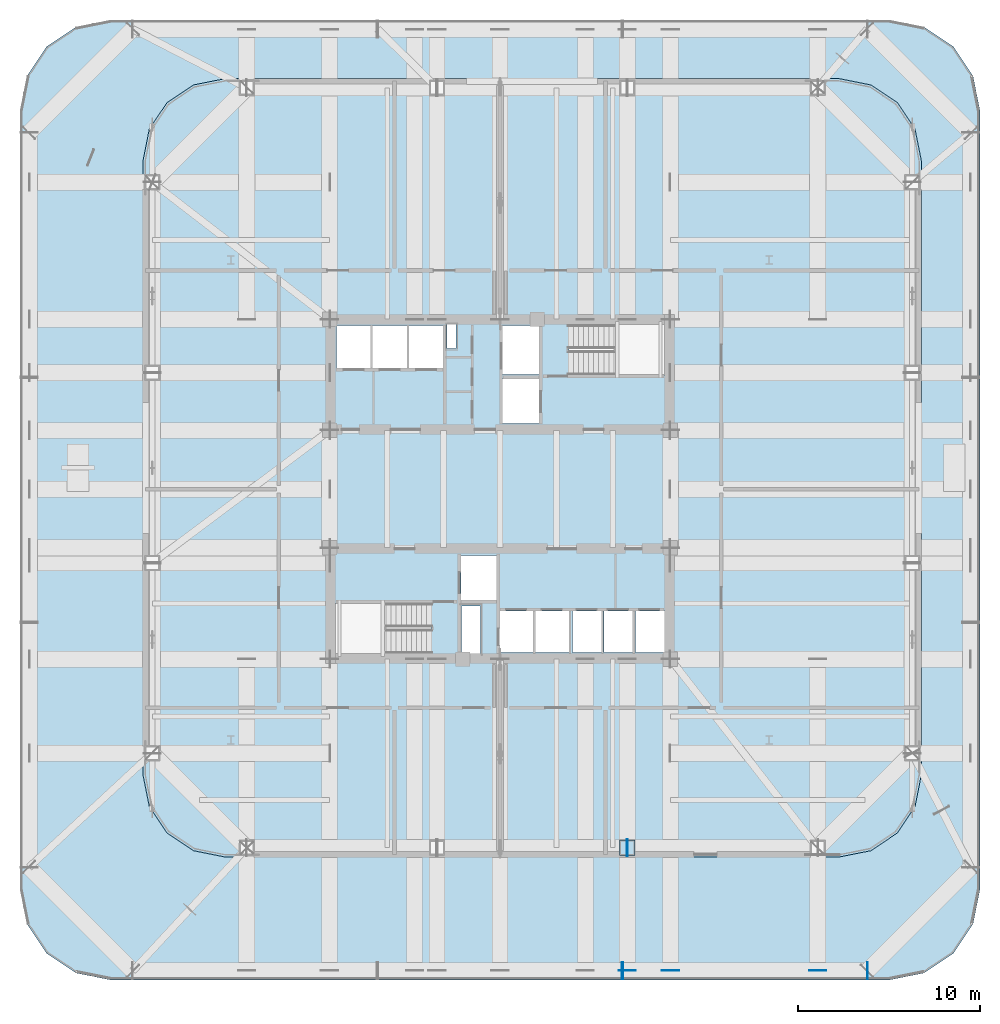
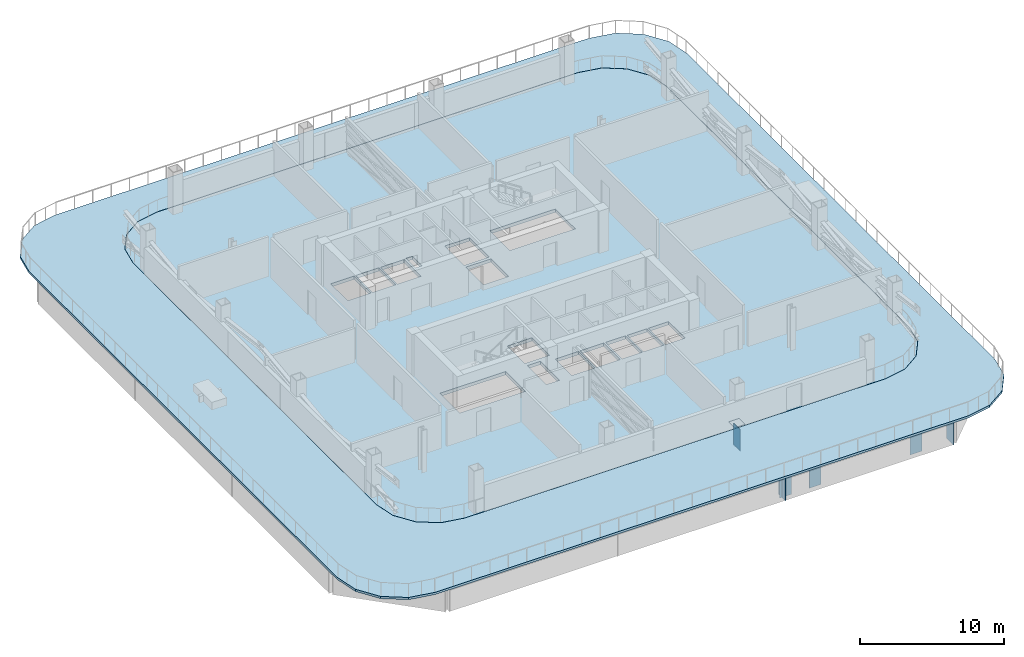
# One storey, part 5 of 16: 9 plates, 2 slabs.
"""IFC4 building model written with IfcOpenShell, lengths in metres."""

import ifcopenshell
import ifcopenshell.guid

model = None  # the IFC model being written
_history = None  # IfcOwnerHistory: only IFC2X3 demands one
_inside = {}  # id of a spatial element -> (the spatial element, [elements in it])
_under = {}  # id of a project, library or spatial element -> (it, [spatial elements below it])
_declared = {}  # id of a project -> (the project, [libraries it declares])
_typed = {}  # id of a type object -> (the type object, [elements of that type])
_made_of = {}  # id of a material, layer set ... -> (it, [elements and type objects made of it])


def new_model(schema):
    """Start an empty IFC model of exactly this schema.

    Asked for "IFC4X3", IfcOpenShell would pick the latest addendum, in which some entities
    have other attributes; the version numbers below select the first issue.
    IFC2X3 requires an IfcOwnerHistory on every rooted entity: one is made here for all.
    """
    global model, _history
    if schema == "IFC4X3":
        model = ifcopenshell.file(schema_version=(4, 3, 0, 0))
    else:
        model = ifcopenshell.file(schema=schema)
    _inside.clear()
    _under.clear()
    _declared.clear()
    _typed.clear()
    _made_of.clear()
    _history = None
    if model.schema == "IFC2X3":
        org = make("IfcOrganization", Name="unknown")
        user = make(
            "IfcPersonAndOrganization",
            ThePerson=make("IfcPerson", FamilyName="unknown"),
            TheOrganization=org,
        )
        app = make(
            "IfcApplication",
            ApplicationDeveloper=org,
            Version="unknown",
            ApplicationFullName="unknown",
            ApplicationIdentifier="unknown",
        )
        _history = make(
            "IfcOwnerHistory",
            OwningUser=user,
            OwningApplication=app,
            ChangeAction="ADDED",
            CreationDate=0,
        )
    return model


def make(cls, **values):
    """One entity of the class cls with the attributes given. An attribute that is None is left unset."""
    return model.create_entity(
        cls, **{name: value for name, value in values.items() if value is not None}
    )


def rooted(cls, **values):
    """An entity with a GlobalId (a new one), such as an element, a storey or a relation."""
    return make(cls, GlobalId=ifcopenshell.guid.new(), OwnerHistory=_history, **values)


def si_unit(unit_type, name, prefix=None):
    """IfcSIUnit, for example si_unit("LENGTHUNIT", "METRE", prefix="MILLI")."""
    return make("IfcSIUnit", UnitType=unit_type, Prefix=prefix, Name=name)


def assignment(units):
    """IfcUnitAssignment: the units of a project."""
    return None if units is None else make("IfcUnitAssignment", Units=units)


def point(xyz):
    """IfcCartesianPoint."""
    return None if xyz is None else make("IfcCartesianPoint", Coordinates=xyz)


def direction(xyz):
    """IfcDirection."""
    return None if xyz is None else make("IfcDirection", DirectionRatios=xyz)


def frame(location, z_axis=None, x_axis=None):
    """IfcAxis2Placement3D, a coordinate frame: its origin and axes. An axis left out is left unset."""
    return make(
        "IfcAxis2Placement3D",
        Location=point(location),
        Axis=direction(z_axis),
        RefDirection=direction(x_axis),
    )


def frame_2d(location, x_axis=None):
    """IfcAxis2Placement2D, a coordinate frame in the plane: its origin and x axis."""
    return make(
        "IfcAxis2Placement2D", Location=point(location), RefDirection=direction(x_axis)
    )


def origin():
    """The frame at (0, 0, 0) with its axes left unset."""
    return frame((0.0, 0.0, 0.0))


def origin_2d():
    """The frame at (0, 0) in the plane with its x axis left unset."""
    return frame_2d((0.0, 0.0))


def place(relative_to, where):
    """IfcLocalPlacement: puts the frame where relative to a parent placement (None: the world)."""
    return make(
        "IfcLocalPlacement", PlacementRelTo=relative_to, RelativePlacement=where
    )


def context(
    kind, dimensions, precision=None, world=None, true_north=None, identifier=None
):
    """IfcGeometricRepresentationContext, for example the 3D "Model" context."""
    return make(
        "IfcGeometricRepresentationContext",
        ContextIdentifier=identifier,
        ContextType=kind,
        CoordinateSpaceDimension=dimensions,
        Precision=precision,
        WorldCoordinateSystem=world,
        TrueNorth=true_north,
    )


def subcontext(parent, identifier, kind, view, scale=None):
    """IfcGeometricRepresentationSubContext, for example "Body" below "Model"."""
    return make(
        "IfcGeometricRepresentationSubContext",
        ContextIdentifier=identifier,
        ContextType=kind,
        ParentContext=parent,
        TargetScale=scale,
        TargetView=view,
    )


def project(units=None, contexts=None):
    """IfcProject with its units and contexts."""
    return rooted(
        "IfcProject",
        Name="project",
        RepresentationContexts=contexts,
        UnitsInContext=assignment(units),
    )


def spatial(cls, under=None, at=None, **own):
    """A site, building, storey or space (cls), placed at a placement, below another one or the project."""
    s = rooted(cls, ObjectPlacement=at, **own)
    if under is not None:
        _under.setdefault(under.id(), (under, []))[1].append(s)
    return s


def polyline(points):
    """IfcPolyline through the points."""
    return make("IfcPolyline", Points=[point(p) for p in points])


def profile(cls, at=None, kind="AREA", **sizes):
    """A parametric profile (cls). Its sizes go by their IFC names, for example OverallWidth=200.0."""
    return make(cls, ProfileType=kind, Position=at, **sizes)


def rectangle(**sizes):
    """IfcRectangleProfileDef."""
    return profile("IfcRectangleProfileDef", **sizes)


def outline(outer, holes=None, kind="AREA"):
    """IfcArbitraryClosedProfileDef: a profile drawn as a closed curve; with holes, ...WithVoids."""
    if holes is None:
        return make("IfcArbitraryClosedProfileDef", ProfileType=kind, OuterCurve=outer)
    return make(
        "IfcArbitraryProfileDefWithVoids",
        ProfileType=kind,
        OuterCurve=outer,
        InnerCurves=holes,
    )


def extrude(swept, where, along, depth):
    """IfcExtrudedAreaSolid: the profile swept, set in the frame where, extruded along a direction by depth."""
    return make(
        "IfcExtrudedAreaSolid",
        SweptArea=swept,
        Position=where,
        ExtrudedDirection=direction(along),
        Depth=depth,
    )


def shape(context_of_items, identifier, shape_type, items):
    """IfcShapeRepresentation: the items that make up one representation, for example the "Body"."""
    return make(
        "IfcShapeRepresentation",
        ContextOfItems=context_of_items,
        RepresentationIdentifier=identifier,
        RepresentationType=shape_type,
        Items=items,
    )


def material(Name=None, Category=None):
    """IfcMaterial."""
    return make("IfcMaterial", Name=Name, Category=Category)


def layer(
    of_material, thickness, ventilated=None, Name=None, Category=None, Priority=None
):
    """IfcMaterialLayer: one layer of a wall or slab, of a material (None: an air gap)."""
    return make(
        "IfcMaterialLayer",
        Material=of_material,
        LayerThickness=thickness,
        IsVentilated=ventilated,
        Name=Name,
        Category=Category,
        Priority=Priority,
    )


def layer_set(layers, Name=None):
    """IfcMaterialLayerSet."""
    return make("IfcMaterialLayerSet", MaterialLayers=layers, LayerSetName=Name)


def made_of(thing, what):
    """Note that an element or type object is made of a material, layer set ...; save() writes the relation."""
    if what is not None:
        _made_of.setdefault(what.id(), (what, []))[1].append(thing)
    return thing


def type_object(cls, material=None, **own):
    """A type object (cls), such as IfcWallType, which elements share."""
    return made_of(rooted(cls, **own), material)


def element(
    cls,
    number,
    at=None,
    inside=None,
    cuts=None,
    type_object=None,
    material=None,
    context=None,
    identifier="Body",
    shape_type=None,
    held_by="IfcProductDefinitionShape",
    body=None,
    shapes=None,
    **own,
):
    """One element of the class cls, such as IfcWall. Its Tag is "e" and its number.

    at: its placement. inside: the storey or other place that contains it. cuts: it is an
    opening in that element (IfcRelVoidsElement). A single representation is given by context,
    identifier, shape_type and body (its items); several are given by shapes. held_by: the class
    of the entity that holds the representations. save() writes the other relations.
    """
    e = rooted(cls, Tag="e%d" % number, ObjectPlacement=at, **own)
    if body is not None:
        shapes = [shape(context, identifier, shape_type, body)]
    if shapes is not None:
        e.Representation = make(held_by, Representations=shapes)
    if inside is not None:
        _inside.setdefault(inside.id(), (inside, []))[1].append(e)
    if cuts is not None:
        rooted(
            "IfcRelVoidsElement", RelatingBuildingElement=cuts, RelatedOpeningElement=e
        )
    if type_object is not None:
        _typed.setdefault(type_object.id(), (type_object, []))[1].append(e)
    return made_of(e, material)


def aggregate(whole, parts):
    """IfcRelAggregates: a whole, such as a stair, and the parts it consists of."""
    return rooted("IfcRelAggregates", RelatingObject=whole, RelatedObjects=parts)


def save(model, path):
    """Write the relations noted so far, then the file.

    IfcRelAggregates (storeys below a building ...), IfcRelContainedInSpatialStructure (elements
    in a storey), IfcRelDefinesByType, IfcRelAssociatesMaterial and IfcRelDeclares: one each for
    every whole, place, type object, material and project.
    """
    for whole, parts in _under.values():
        aggregate(whole, parts)
    for where, things in _inside.values():
        rooted(
            "IfcRelContainedInSpatialStructure",
            RelatedElements=things,
            RelatingStructure=where,
        )
    for kind, things in _typed.values():
        rooted("IfcRelDefinesByType", RelatedObjects=things, RelatingType=kind)
    for what, things in _made_of.values():
        rooted("IfcRelAssociatesMaterial", RelatedObjects=things, RelatingMaterial=what)
    for by, libraries in _declared.values():
        rooted("IfcRelDeclares", RelatingContext=by, RelatedDefinitions=libraries)
    model.write(path)


model = new_model("IFC4")

# Units and contexts
model_context = context("Model", 3, precision=1e-05, world=origin(), true_north=direction((0.0, 1.0)))
body_context = subcontext(model_context, "Body", "Model", "MODEL_VIEW")
ifc_project = project(units=[si_unit("LENGTHUNIT", "METRE"), si_unit("AREAUNIT", "SQUARE_METRE"), si_unit("VOLUMEUNIT", "CUBIC_METRE"), si_unit("PLANEANGLEUNIT", "RADIAN"), si_unit("MASSUNIT", "GRAM", prefix="KILO")], contexts=[model_context])

# Site, building, storey
site_placement = place(None, origin())
site = spatial("IfcSite", under=ifc_project, at=site_placement, CompositionType="ELEMENT")
building_placement = place(site_placement, origin())
building = spatial("IfcBuilding", under=site, at=building_placement, Name="Qhalaya Broadcast Tower", CompositionType="ELEMENT")
storey_placement = place(building_placement, frame((0.0, 0.0, 57.89990234375)))
storey = spatial("IfcBuildingStorey", under=building, at=storey_placement, Name="L16", CompositionType="ELEMENT", Elevation=57.89990234375)

# Plates
ifc_material_1 = material(Name="Structural Steel ASTM A572 Grade 50", Category="steel")
ifc_layer_1 = layer(ifc_material_1, 0.4599609375, Name="Structural Steel ASTM A572 Grade 50")
ifc_layer_set_1 = layer_set([ifc_layer_1], Name="Structural Steel ASTM A572 Grade 50")
plate_type = type_object("IfcPlateType", Name="Hollow Box Member End Cap Plate CP-01", PredefinedType="USERDEFINED", material=ifc_layer_set_1)
for number, where, z_axis, x_axis, name in (
    (1, (7.019287109375, -19.1298828125, -2.10009765625), (0.0, 0.0, 1.0), (0.0, 1.0, 0.0), "L16 Hollow Girder End Cap L16-SPR-02-B"),
    (2, (6.9873046875, -19.1298828125, -2.10009765625), (0.0, 0.0, 1.0), (0.0, 1.0, 0.0), "L16 Hollow Girder End Cap L16-SPR-03-A"),
    (3, (6.749267578125, -25.89990234375, -2.10009765625), (0.0, 0.0, 1.0), (0.0, 1.0, 0.0), "L16 Hollow Girder End Cap L16-TGL-02-B"),
    (4, (6.71728515625, -25.89990234375, -2.10009765625), (0.0, 0.0, 1.0), (0.0, 1.0, 0.0), "L16 Hollow Girder End Cap L16-TGL-03-A"),
    (5, (20.216064453125, -25.89990234375, -2.10009765625), (0.0, 0.0, 1.0), (0.0, 1.0, 0.0), "L16 Hollow Girder End Cap L16-TGL-03-B"),
    (6, (9.375, -25.8759765625, -2.10009765625), (0.0, 0.0, 1.0), (-1.0, 0.0, 0.0), "L16 Hollow Girder End Cap L16-TGISE-1-A"),
    (7, (7.00341796875, -25.8759765625, -2.10009765625), (0.0, 0.0, 1.0), (-1.0, 0.0, 0.0), "L16 Hollow Girder End Cap L16-TGC-03-A"),
    (8, (17.469970703125, -25.8759765625, -2.10009765625), (0.0, 0.0, 1.0), (-1.0, 0.0, 0.0), "L16 Hollow Girder End Cap L16-TGC-04-A"),
):
    element("IfcPlate", number, at=place(storey_placement, frame(where, z_axis=z_axis, x_axis=x_axis)), inside=storey, type_object=plate_type, Name=name, ObjectType="COVER_PLATE", PredefinedType="USERDEFINED", context=body_context, shape_type="SweptSolid", body=[
        extrude(rectangle(XDim=0.93994140625, YDim=0.031982421875, at=origin_2d()), origin(), (0.0, 0.0, 1.0), 1.840087890625),
    ])
plate_placement = place(storey_placement, frame((7.00341796875, -19.1298828125, -0.03173828125), z_axis=(0.0, 0.0, 1.0), x_axis=(1.0, 0.0, 0.0)))
element("IfcPlate", 9, at=plate_placement, inside=storey, type_object=plate_type, Name="L16 Hollow Box Column Base Cap Plate COL-NK03", ObjectType="COVER_PLATE", PredefinedType="USERDEFINED", context=body_context, shape_type="SweptSolid", body=[
    extrude(rectangle(XDim=0.840087890625, YDim=0.840087890625, at=origin_2d()), origin(), (0.0, 0.0, 1.0), 0.031982421875),
])

# Slabs
ifc_material_2 = material(Name="Concrete C40/50", Category="concrete")
ifc_layer_2 = layer(ifc_material_2, 0.280029296875, Name="Concrete C40/50")
ifc_layer_set_2 = layer_set([ifc_layer_2], Name="Concrete C40/50")
slab_type_1 = type_object("IfcSlabType", Name="Plant & Refuge Heavy Duty Floor Slab 280", PredefinedType="FLOOR", material=ifc_layer_set_2)
slab_1_placement = place(storey_placement, frame((0.0, 0.0, -0.27978515625)))
element("IfcSlab", 10, at=slab_1_placement, inside=storey, type_object=slab_type_1, Name="L16 Main Structural Floor Slab", PredefinedType="FLOOR", context=body_context, shape_type="SweptSolid", body=[
    extrude(outline(polyline([(18.669921875, -19.6298828125), (20.39208984375, -19.28759765625), (21.85205078125, -18.31201171875), (22.827392578125, -16.85205078125), (23.169921875, -15.1298828125), (23.169921875, 18.669921875), (22.827392578125, 20.39208984375), (21.85205078125, 21.85205078125), (20.39208984375, 22.827392578125), (18.669921875, 23.169921875), (-15.1298828125, 23.169921875), (-16.85205078125, 22.827392578125), (-18.31201171875, 21.85205078125), (-19.28759765625, 20.39208984375), (-19.6298828125, 18.669921875), (-19.6298828125, -15.1298828125), (-19.28759765625, -16.85205078125), (-18.31201171875, -18.31201171875), (-16.85205078125, -19.28759765625), (-15.1298828125, -19.6298828125), (18.669921875, -19.6298828125)]), holes=[polyline([(3.784912109375, 9.639892578125), (9.050048828125, 9.639892578125), (9.050048828125, 6.8798828125), (3.784912109375, 6.8798828125), (3.784912109375, 9.639892578125)]), polyline([(-3.784912109375, -8.43994140625), (-9.050048828125, -8.43994140625), (-9.050048828125, -5.679931640625), (-3.784912109375, -5.679931640625), (-3.784912109375, -8.43994140625)]), polyline([(0.14990234375, 6.64990234375), (2.14990234375, 6.64990234375), (2.14990234375, 4.199951171875), (0.14990234375, 4.199951171875), (0.14990234375, 6.64990234375)]), polyline([(0.14990234375, 9.60009765625), (2.14990234375, 9.60009765625), (2.14990234375, 6.89990234375), (0.14990234375, 6.89990234375), (0.14990234375, 9.60009765625)]), polyline([(-2.14990234375, -3.050048828125), (-0.14990234375, -3.050048828125), (-0.14990234375, -5.5), (-2.14990234375, -5.5), (-2.14990234375, -3.050048828125)]), polyline([(-9.0, 9.60009765625), (-7.1201171875, 9.60009765625), (-7.1201171875, 7.25), (-9.0, 7.25), (-9.0, 9.60009765625)]), polyline([(-7.0, 9.60009765625), (-5.1201171875, 9.60009765625), (-5.1201171875, 7.25), (-7.0, 7.25), (-7.0, 9.60009765625)]), polyline([(-5.0, 9.60009765625), (-3.1201171875, 9.60009765625), (-3.1201171875, 7.25), (-5.0, 7.25), (-5.0, 9.60009765625)]), polyline([(-0.050048828125, -6.10009765625), (1.830078125, -6.10009765625), (1.830078125, -8.39990234375), (-0.050048828125, -8.39990234375), (-0.050048828125, -6.10009765625)]), polyline([(1.949951171875, -6.10009765625), (3.830078125, -6.10009765625), (3.830078125, -8.39990234375), (1.949951171875, -8.39990234375), (1.949951171875, -6.10009765625)]), polyline([(4.0, -6.10009765625), (5.60009765625, -6.10009765625), (5.60009765625, -8.39990234375), (4.0, -8.39990234375), (4.0, -6.10009765625)]), polyline([(5.719970703125, -6.10009765625), (7.320068359375, -6.10009765625), (7.320068359375, -8.39990234375), (5.719970703125, -8.39990234375), (5.719970703125, -6.10009765625)]), polyline([(7.43994140625, -6.10009765625), (9.0400390625, -6.10009765625), (9.0400390625, -8.39990234375), (7.43994140625, -8.39990234375), (7.43994140625, -6.10009765625)]), polyline([(-2.919921875, 9.659912109375), (-2.419921875, 9.659912109375), (-2.419921875, 8.320068359375), (-2.919921875, 8.320068359375), (-2.919921875, 9.659912109375)]), polyline([(-2.1201171875, -5.820068359375), (-1.080078125, -5.820068359375), (-1.080078125, -8.4599609375), (-2.1201171875, -8.4599609375), (-2.1201171875, -5.820068359375)])]), origin(), (0.0, 0.0, 1.0), 0.27978515625),
])
ifc_layer_3 = layer(ifc_material_2, 0.25, Name="Concrete C40/50")
ifc_layer_set_3 = layer_set([ifc_layer_3], Name="Concrete C40/50")
slab_type_2 = type_object("IfcSlabType", Name="Planted Sky-Garden & Sky-Pool External Terrace Slab 250", PredefinedType="FLOOR", material=ifc_layer_set_3)
slab_2_placement = place(storey_placement, frame((0.0, 0.0, -0.18994140625)))
element("IfcSlab", 11, at=slab_2_placement, inside=storey, type_object=slab_type_2, Name="L16 Planted Sky Garden Terrace 1", PredefinedType="FLOOR", context=body_context, shape_type="SweptSolid", body=[
    extrude(outline(polyline([(21.39990234375, -26.39990234375), (23.3134765625, -26.019287109375), (24.935546875, -24.935546875), (26.019287109375, -23.3134765625), (26.39990234375, -21.39990234375), (26.39990234375, 21.39990234375), (26.019287109375, 23.3134765625), (24.935546875, 24.935546875), (23.3134765625, 26.019287109375), (21.39990234375, 26.39990234375), (-21.39990234375, 26.39990234375), (-23.3134765625, 26.019287109375), (-24.935546875, 24.935546875), (-26.019287109375, 23.3134765625), (-26.39990234375, 21.39990234375), (-26.39990234375, -21.39990234375), (-26.019287109375, -23.3134765625), (-24.935546875, -24.935546875), (-23.3134765625, -26.019287109375), (-21.39990234375, -26.39990234375), (21.39990234375, -26.39990234375)]), holes=[polyline([(18.669921875, -19.634033203125), (-15.1298828125, -19.634033203125), (-15.13037109375, -19.634033203125), (-15.130859375, -19.6337890625), (-16.852783203125, -19.29150390625), (-16.853271484375, -19.291259765625), (-16.853515625, -19.291259765625), (-16.85400390625, -19.291015625), (-16.854248046875, -19.290771484375), (-18.314208984375, -18.315185546875), (-18.314453125, -18.315185546875), (-18.314697265625, -18.314697265625), (-18.315185546875, -18.314453125), (-18.315185546875, -18.314208984375), (-19.290771484375, -16.854248046875), (-19.291015625, -16.85400390625), (-19.291259765625, -16.853515625), (-19.291259765625, -16.853271484375), (-19.29150390625, -16.852783203125), (-19.6337890625, -15.130859375), (-19.634033203125, -15.13037109375), (-19.634033203125, -15.1298828125), (-19.634033203125, 18.669921875), (-19.634033203125, 18.67041015625), (-19.6337890625, 18.6708984375), (-19.29150390625, 20.392822265625), (-19.291259765625, 20.393310546875), (-19.291259765625, 20.3935546875), (-19.291015625, 20.39404296875), (-19.290771484375, 20.394287109375), (-18.315185546875, 21.854248046875), (-18.315185546875, 21.8544921875), (-18.314697265625, 21.854736328125), (-18.314453125, 21.85498046875), (-18.314208984375, 21.855224609375), (-16.854248046875, 22.830810546875), (-16.85400390625, 22.8310546875), (-16.853515625, 22.831298828125), (-16.853271484375, 22.831298828125), (-16.852783203125, 22.831298828125), (-15.130859375, 23.173828125), (-15.13037109375, 23.174072265625), (-15.1298828125, 23.174072265625), (18.669921875, 23.174072265625), (18.67041015625, 23.174072265625), (18.6708984375, 23.173828125), (20.392822265625, 22.831298828125), (20.393310546875, 22.831298828125), (20.3935546875, 22.831298828125), (20.39404296875, 22.8310546875), (20.394287109375, 22.830810546875), (21.854248046875, 21.855224609375), (21.8544921875, 21.85498046875), (21.854736328125, 21.854736328125), (21.85498046875, 21.8544921875), (21.855224609375, 21.854248046875), (22.830810546875, 20.394287109375), (22.8310546875, 20.39404296875), (22.831298828125, 20.3935546875), (22.831298828125, 20.393310546875), (22.831298828125, 20.392822265625), (23.173828125, 18.6708984375), (23.174072265625, 18.67041015625), (23.174072265625, 18.669921875), (23.174072265625, -15.1298828125), (23.174072265625, -15.13037109375), (23.173828125, -15.130859375), (22.831298828125, -16.852783203125), (22.831298828125, -16.853271484375), (22.831298828125, -16.853515625), (22.8310546875, -16.85400390625), (22.830810546875, -16.854248046875), (21.855224609375, -18.314208984375), (21.85498046875, -18.314453125), (21.854736328125, -18.314697265625), (21.8544921875, -18.315185546875), (21.854248046875, -18.315185546875), (20.394287109375, -19.290771484375), (20.39404296875, -19.291015625), (20.3935546875, -19.291259765625), (20.393310546875, -19.291259765625), (20.392822265625, -19.29150390625), (18.6708984375, -19.6337890625), (18.67041015625, -19.634033203125), (18.669921875, -19.634033203125)])]), origin(), (0.0, 0.0, 1.0), 0.18994140625),
])

save(model, "model.ifc")
